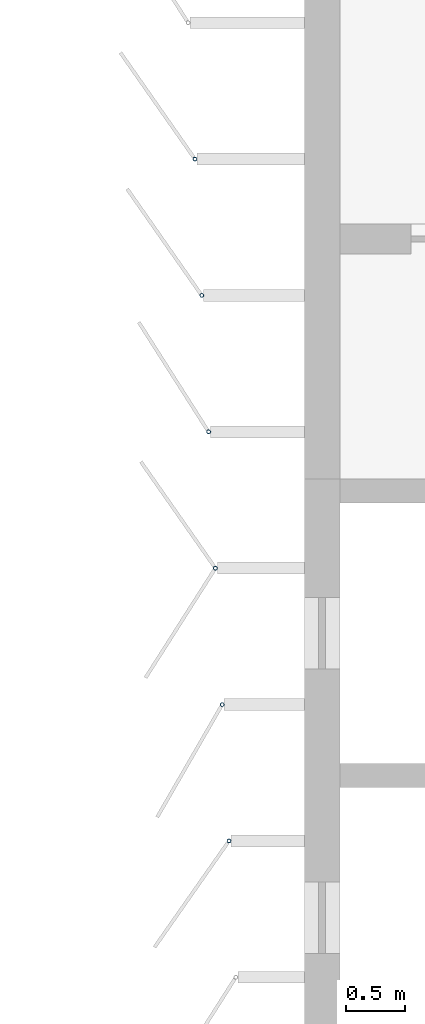
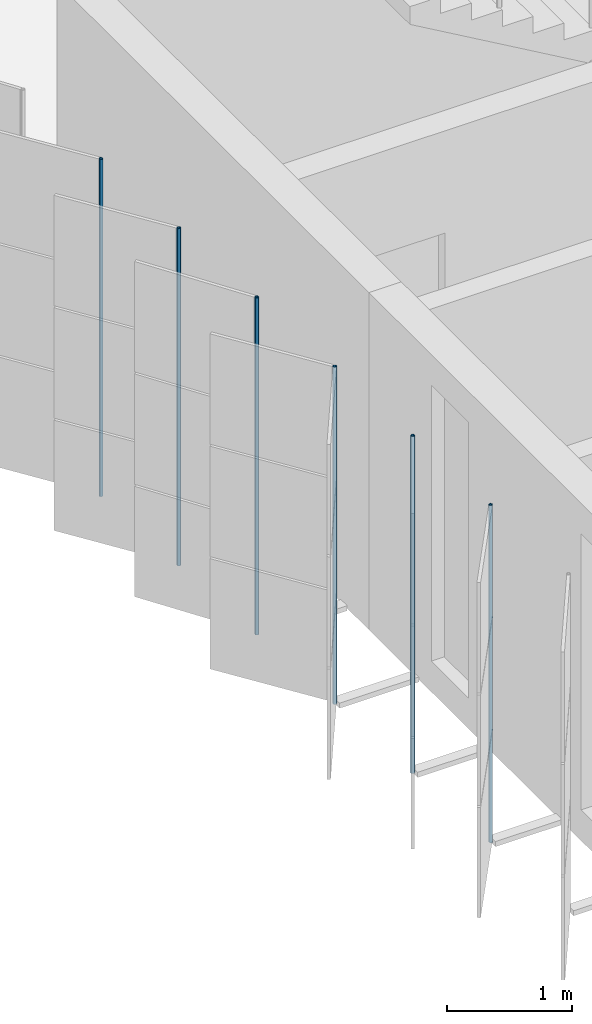
# One storey, part 102 of 199: 6 discrete accessories.
"""IFC4 building model written with IfcOpenShell, lengths in metres."""

from ifc_helpers import new_model, si_unit, direction, frame, origin, origin_2d, place, context, subcontext, project, spatial, hollow_circle, extrude, material, material_profile, profile_set, type_object, element, save


model = new_model("IFC4")

# Units and contexts
model_context = context("Model", 3, precision=1e-05, world=origin(), true_north=direction((0.0, 1.0)))
body_context = subcontext(model_context, "Body", "Model", "MODEL_VIEW")
ifc_project = project(units=[si_unit("LENGTHUNIT", "METRE"), si_unit("AREAUNIT", "SQUARE_METRE"), si_unit("VOLUMEUNIT", "CUBIC_METRE"), si_unit("PLANEANGLEUNIT", "RADIAN"), si_unit("MASSUNIT", "GRAM", prefix="KILO")], contexts=[model_context])

# Site, building, storey
site_placement = place(None, origin())
site = spatial("IfcSite", under=ifc_project, at=site_placement, CompositionType="ELEMENT")
building_placement = place(site_placement, origin())
building = spatial("IfcBuilding", under=site, at=building_placement, Name="Parallax Yard Mobility Hub", CompositionType="ELEMENT")
storey_placement = place(building_placement, frame((0.0, 0.0, 9.89990234375)))
storey = spatial("IfcBuildingStorey", under=building, at=storey_placement, Name="L03", CompositionType="ELEMENT", Elevation=9.89990234375)

# Discrete accessories
ifc_material = material(Name="Steel ASTM A500 Gr C, hot-dip galvanised", Category="steel")
ifc_material_profile = material_profile(ifc_material, hollow_circle(Radius=0.016845703125, WallThickness=0.003173828125, at=origin_2d()), Name="CHS 33.7x3.2")
ifc_profile_set = profile_set([ifc_material_profile], Name="Steel ASTM A500 Gr C, hot-dip galvanised")
discrete_accessory_type = type_object("IfcDiscreteAccessoryType", Name="Hinge post CHS 33.7x3.2", PredefinedType="BRACKET", material=ifc_profile_set)
for number, where, z_axis, x_axis, name in (
    (1, (194.077392578125, 87.69921875, 0.0), (0.0, 0.0, 1.0), (1.0, 0.0, 0.0), "Hinge post bay 23.3 level L03"),
    (2, (194.134765625, 86.549072265625, 0.0), (0.0, 0.0, 1.0), (1.0, 0.0, 0.0), "Hinge post bay 23.4 level L03"),
    (3, (194.1923828125, 85.39892578125, 0.0), (0.0, 0.0, 1.0), (1.0, 0.0, 0.0), "Hinge post bay 23.5 level L03"),
    (4, (194.249755859375, 84.248779296875, 0.0), (0.0, 0.0, 1.0), (1.0, 0.0, 0.0), "Hinge post bay 23.6 level L03"),
    (5, (194.307373046875, 83.098388671875, 0.0), (0.0, 0.0, 1.0), (1.0, 0.0, 0.0), "Hinge post bay 23.7 level L03"),
    (6, (194.36474609375, 81.948486328125, 0.0), (0.0, 0.0, 1.0), (1.0, 0.0, 0.0), "Hinge post bay 23.8 level L03"),
):
    element("IfcDiscreteAccessory", number, at=place(storey_placement, frame(where, z_axis=z_axis, x_axis=x_axis)), inside=storey, type_object=discrete_accessory_type, Name=name, PredefinedType="BRACKET", context=body_context, shape_type="SweptSolid", body=[
        extrude(hollow_circle(Radius=0.016845703125, WallThickness=0.003173828125, at=origin_2d()), origin(), (0.0, 0.0, 1.0), 3.300048828125),
    ])

save(model, "model.ifc")
